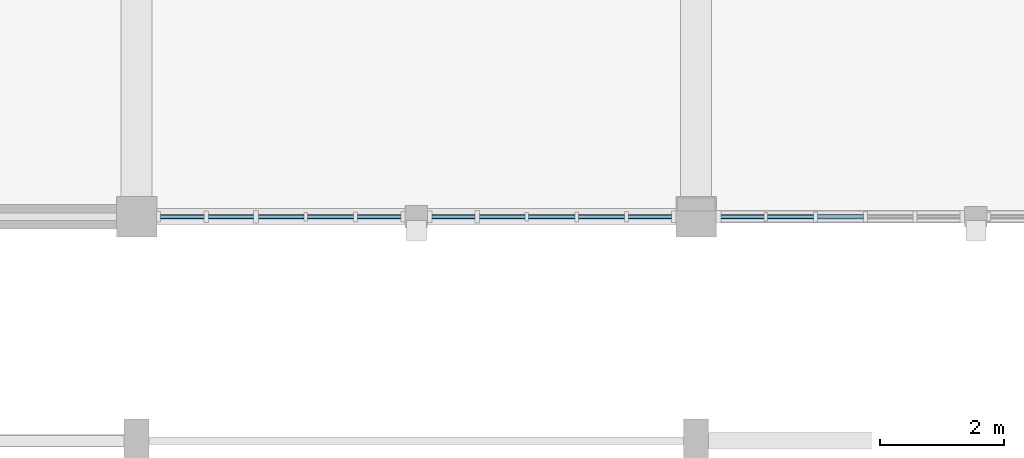
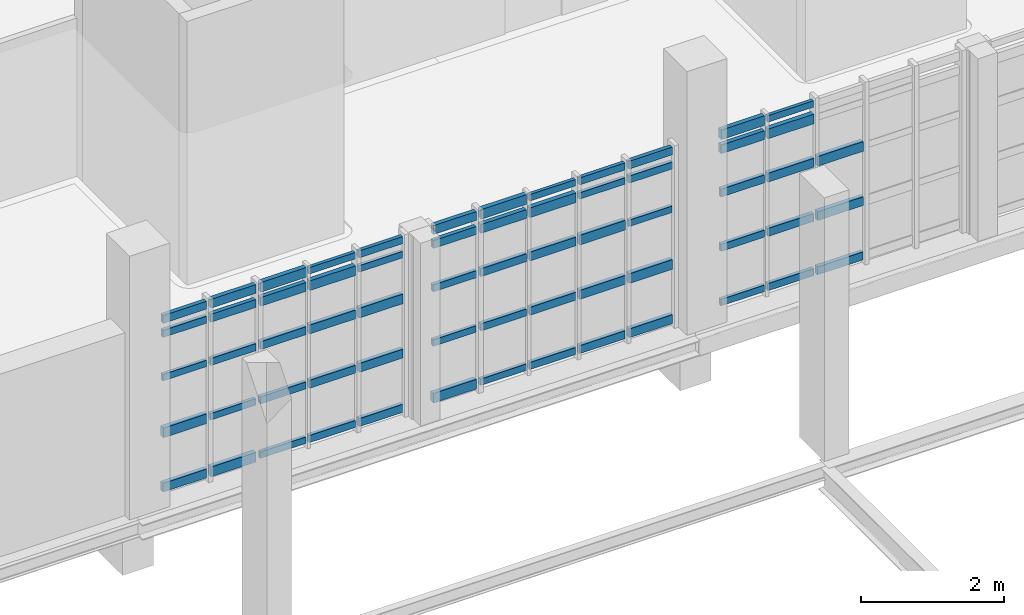
# One storey, part 55 of 125: 63 members, 3 elements without a shape of their own.
"""IFC4 building model written with IfcOpenShell, lengths in metres."""

from ifc_helpers import new_model, si_unit, direction, frame, origin, origin_2d, place, context, subcontext, project, spatial, rectangle, extrude, material, material_profile, profile_set, type_object, element, aggregate, save


model = new_model("IFC4")

# Units and contexts
model_context = context("Model", 3, precision=1e-05, world=origin(), true_north=direction((0.0, 1.0)))
body_context = subcontext(model_context, "Body", "Model", "MODEL_VIEW")
ifc_project = project(units=[si_unit("LENGTHUNIT", "METRE"), si_unit("AREAUNIT", "SQUARE_METRE"), si_unit("VOLUMEUNIT", "CUBIC_METRE"), si_unit("PLANEANGLEUNIT", "RADIAN"), si_unit("MASSUNIT", "GRAM", prefix="KILO")], contexts=[model_context])

# Site, building, storey
site_placement = place(None, origin())
site = spatial("IfcSite", under=ifc_project, at=site_placement, CompositionType="ELEMENT")
building_placement = place(site_placement, origin())
building = spatial("IfcBuilding", under=site, at=building_placement, Name="Serraforn Aerial Cableway Station", CompositionType="ELEMENT")
storey_placement = place(building_placement, frame((0.0, 0.0, 4.5)))
storey = spatial("IfcBuildingStorey", under=building, at=storey_placement, Name="L01", CompositionType="ELEMENT", Elevation=4.5)

# Curtain wall, members
ifc_material_1 = material(Name="Anodised bronze unitised curtain wall")
curtain_wall_type_1 = type_object("IfcCurtainWallType", Name="CW-SYS-21", PredefinedType="USERDEFINED", material=ifc_material_1)
curtain_wall_1_placement = place(storey_placement, origin())
curtain_wall_1 = element("IfcCurtainWall", 1, at=curtain_wall_1_placement, inside=storey, type_object=curtain_wall_type_1, Name="Unitised Curtain Wall CW-CV-L01-S3A", ObjectType="UNITISED CURTAIN WALL", PredefinedType="USERDEFINED")
ifc_material_2 = material(Name="Anodised bronze extruded aluminium", Category="aluminium")
ifc_material_profile_1 = material_profile(ifc_material_2, rectangle(XDim=0.054931640625, YDim=0.110107421875, at=origin_2d()), Name="CW TRANSOM 55x110")
ifc_profile_set_1 = profile_set([ifc_material_profile_1], Name="Anodised bronze extruded aluminium")
member_type_1 = type_object("IfcMemberType", Name="CW-TRN-1", PredefinedType="USERDEFINED", material=ifc_profile_set_1)
member_1_placement = place(storey_placement, frame((45.986083984375, 18.0, 1.996826171875), z_axis=(1.0, 0.0, 0.0), x_axis=(0.0, 1.0, 0.0)))
member_1 = element("IfcMember", 2, at=member_1_placement, type_object=member_type_1, Name="Curtain Wall Transom CW-CV-L01-S3A-T1-3", ObjectType="TRANSOM", PredefinedType="USERDEFINED", context=body_context, shape_type="SweptSolid", body=[
    extrude(rectangle(XDim=0.054931640625, YDim=0.110107421875, at=origin_2d()), origin(), (0.0, 0.0, 1.0), 0.703369140625),
])
member_2_placement = place(storey_placement, frame((46.75537109375, 18.0, 1.060791015625), z_axis=(1.0, 0.0, 0.0), x_axis=(0.0, 1.0, 0.0)))
member_2 = element("IfcMember", 3, at=member_2_placement, type_object=member_type_1, Name="Curtain Wall Transom CW-CV-L01-S3A-T2-2", ObjectType="TRANSOM", PredefinedType="USERDEFINED", context=body_context, shape_type="SweptSolid", body=[
    extrude(rectangle(XDim=0.054931640625, YDim=0.110107421875, at=origin_2d()), origin(), (0.0, 0.0, 1.0), 0.73095703125),
])
member_3_placement = place(storey_placement, frame((47.557373046875, 18.0, 0.124755859375), z_axis=(1.0, 0.0, 0.0), x_axis=(0.0, 1.0, 0.0)))
member_3 = element("IfcMember", 4, at=member_3_placement, type_object=member_type_1, Name="Curtain Wall Transom CW-CV-L01-S3A-T3-1", ObjectType="TRANSOM", PredefinedType="USERDEFINED", context=body_context, shape_type="SweptSolid", body=[
    extrude(rectangle(XDim=0.054931640625, YDim=0.110107421875, at=origin_2d()), origin(), (0.0, 0.0, 1.0), 0.73828125),
])
member_4_placement = place(storey_placement, frame((48.3466796875, 18.0, 2.9951171875), z_axis=(1.0, 0.0, 0.0), x_axis=(0.0, 1.0, 0.0)))
member_4 = element("IfcMember", 5, at=member_4_placement, type_object=member_type_1, Name="Curtain Wall Transom CW-CV-L01-S3A-T4-5", ObjectType="TRANSOM", PredefinedType="USERDEFINED", context=body_context, shape_type="SweptSolid", body=[
    extrude(rectangle(XDim=0.054931640625, YDim=0.110107421875, at=origin_2d()), origin(), (0.0, 0.0, 1.0), 0.745849609375),
])
member_5_placement = place(storey_placement, frame((49.148681640625, 18.0, 2.74560546875), z_axis=(1.0, 0.0, 0.0), x_axis=(0.0, 1.0, 0.0)))
member_5 = element("IfcMember", 6, at=member_5_placement, type_object=member_type_1, Name="Curtain Wall Transom CW-CV-L01-S3A-T5-4", ObjectType="TRANSOM", PredefinedType="USERDEFINED", context=body_context, shape_type="SweptSolid", body=[
    extrude(rectangle(XDim=0.054931640625, YDim=0.110107421875, at=origin_2d()), origin(), (0.0, 0.0, 1.0), 0.708251953125),
])

curtain_wall_type_2 = type_object("IfcCurtainWallType", Name="CW-SYS-22", PredefinedType="USERDEFINED", material=ifc_material_1)
curtain_wall_2_placement = place(storey_placement, origin())
curtain_wall_2 = element("IfcCurtainWall", 7, at=curtain_wall_2_placement, inside=storey, type_object=curtain_wall_type_2, Name="Unitised Curtain Wall CW-CV-L01-S3B", ObjectType="UNITISED CURTAIN WALL", PredefinedType="USERDEFINED")
member_6_placement = place(storey_placement, frame((50.347900390625, 18.0, 1.060791015625), z_axis=(1.0, 0.0, 0.0), x_axis=(0.0, 1.0, 0.0)))
member_6 = element("IfcMember", 8, at=member_6_placement, type_object=member_type_1, Name="Curtain Wall Transom CW-CV-L01-S3B-T1-2", ObjectType="TRANSOM", PredefinedType="USERDEFINED", context=body_context, shape_type="SweptSolid", body=[
    extrude(rectangle(XDim=0.054931640625, YDim=0.110107421875, at=origin_2d()), origin(), (0.0, 0.0, 1.0), 0.696044921875),
])
member_7_placement = place(storey_placement, frame((51.114990234375, 18.0, 0.124755859375), z_axis=(1.0, 0.0, 0.0), x_axis=(0.0, 1.0, 0.0)))
member_7 = element("IfcMember", 9, at=member_7_placement, type_object=member_type_1, Name="Curtain Wall Transom CW-CV-L01-S3B-T2-1", ObjectType="TRANSOM", PredefinedType="USERDEFINED", context=body_context, shape_type="SweptSolid", body=[
    extrude(rectangle(XDim=0.054931640625, YDim=0.110107421875, at=origin_2d()), origin(), (0.0, 0.0, 1.0), 0.73828125),
])
member_8_placement = place(storey_placement, frame((51.904296875, 18.0, 2.9951171875), z_axis=(1.0, 0.0, 0.0), x_axis=(0.0, 1.0, 0.0)))
member_8 = element("IfcMember", 10, at=member_8_placement, type_object=member_type_1, Name="Curtain Wall Transom CW-CV-L01-S3B-T3-5", ObjectType="TRANSOM", PredefinedType="USERDEFINED", context=body_context, shape_type="SweptSolid", body=[
    extrude(rectangle(XDim=0.054931640625, YDim=0.110107421875, at=origin_2d()), origin(), (0.0, 0.0, 1.0), 0.745849609375),
])
member_9_placement = place(storey_placement, frame((52.706298828125, 18.0, 2.74560546875), z_axis=(1.0, 0.0, 0.0), x_axis=(0.0, 1.0, 0.0)))
member_9 = element("IfcMember", 11, at=member_9_placement, type_object=member_type_1, Name="Curtain Wall Transom CW-CV-L01-S3B-T4-4", ObjectType="TRANSOM", PredefinedType="USERDEFINED", context=body_context, shape_type="SweptSolid", body=[
    extrude(rectangle(XDim=0.054931640625, YDim=0.110107421875, at=origin_2d()), origin(), (0.0, 0.0, 1.0), 0.74072265625),
])
member_10_placement = place(storey_placement, frame((53.508056640625, 18.0, 1.996826171875), z_axis=(1.0, 0.0, 0.0), x_axis=(0.0, 1.0, 0.0)))
member_10 = element("IfcMember", 12, at=member_10_placement, type_object=member_type_1, Name="Curtain Wall Transom CW-CV-L01-S3B-T5-3", ObjectType="TRANSOM", PredefinedType="USERDEFINED", context=body_context, shape_type="SweptSolid", body=[
    extrude(rectangle(XDim=0.054931640625, YDim=0.110107421875, at=origin_2d()), origin(), (0.0, 0.0, 1.0), 0.700927734375),
])

curtain_wall_type_3 = type_object("IfcCurtainWallType", Name="CW-SYS-23", PredefinedType="USERDEFINED", material=ifc_material_1)
curtain_wall_3_placement = place(storey_placement, origin())
curtain_wall_3 = element("IfcCurtainWall", 13, at=curtain_wall_3_placement, inside=storey, type_object=curtain_wall_type_3, Name="Unitised Curtain Wall CW-CV-L01-S4A", ObjectType="UNITISED CURTAIN WALL", PredefinedType="USERDEFINED")
member_11_placement = place(storey_placement, frame((54.99609375, 18.0, 0.124755859375), z_axis=(1.0, 0.0, 0.0), x_axis=(0.0, 1.0, 0.0)))
member_11 = element("IfcMember", 14, at=member_11_placement, type_object=member_type_1, Name="Curtain Wall Transom CW-CV-L01-S4A-T1-1", ObjectType="TRANSOM", PredefinedType="USERDEFINED", context=body_context, shape_type="SweptSolid", body=[
    extrude(rectangle(XDim=0.054931640625, YDim=0.110107421875, at=origin_2d()), origin(), (0.0, 0.0, 1.0), 0.700927734375),
])
member_12_placement = place(storey_placement, frame((55.747802734375, 18.0, 2.9951171875), z_axis=(1.0, 0.0, 0.0), x_axis=(0.0, 1.0, 0.0)))
member_12 = element("IfcMember", 15, at=member_12_placement, type_object=member_type_1, Name="Curtain Wall Transom CW-CV-L01-S4A-T2-5", ObjectType="TRANSOM", PredefinedType="USERDEFINED", context=body_context, shape_type="SweptSolid", body=[
    extrude(rectangle(XDim=0.054931640625, YDim=0.110107421875, at=origin_2d()), origin(), (0.0, 0.0, 1.0), 0.74609375),
])

# Member
ifc_material_profile_2 = material_profile(ifc_material_2, rectangle(XDim=0.06005859375, YDim=0.1201171875, at=origin_2d()), Name="CW TRANSOM 60x120")
ifc_profile_set_2 = profile_set([ifc_material_profile_2], Name="Anodised bronze extruded aluminium")
member_type_2 = type_object("IfcMemberType", Name="CW-TRN-2", PredefinedType="USERDEFINED", material=ifc_profile_set_2)
member_13_placement = place(storey_placement, frame((45.986083984375, 18.0, 2.74560546875), z_axis=(1.0, 0.0, 0.0), x_axis=(0.0, 1.0, 0.0)))
member_13 = element("IfcMember", 16, at=member_13_placement, type_object=member_type_2, Name="Curtain Wall Transom CW-CV-L01-S3A-T1-4", ObjectType="TRANSOM", PredefinedType="USERDEFINED", context=body_context, shape_type="SweptSolid", body=[
    extrude(rectangle(XDim=0.06005859375, YDim=0.1201171875, at=origin_2d()), origin(), (0.0, 0.0, 1.0), 0.703369140625),
])

member_14_placement = place(storey_placement, frame((46.75537109375, 18.0, 1.996826171875), z_axis=(1.0, 0.0, 0.0), x_axis=(0.0, 1.0, 0.0)))
member_14 = element("IfcMember", 17, at=member_14_placement, type_object=member_type_2, Name="Curtain Wall Transom CW-CV-L01-S3A-T2-3", ObjectType="TRANSOM", PredefinedType="USERDEFINED", context=body_context, shape_type="SweptSolid", body=[
    extrude(rectangle(XDim=0.06005859375, YDim=0.1201171875, at=origin_2d()), origin(), (0.0, 0.0, 1.0), 0.73095703125),
])

member_15_placement = place(storey_placement, frame((47.557373046875, 18.0, 1.060791015625), z_axis=(1.0, 0.0, 0.0), x_axis=(0.0, 1.0, 0.0)))
member_15 = element("IfcMember", 18, at=member_15_placement, type_object=member_type_2, Name="Curtain Wall Transom CW-CV-L01-S3A-T3-2", ObjectType="TRANSOM", PredefinedType="USERDEFINED", context=body_context, shape_type="SweptSolid", body=[
    extrude(rectangle(XDim=0.06005859375, YDim=0.1201171875, at=origin_2d()), origin(), (0.0, 0.0, 1.0), 0.73828125),
])

member_16_placement = place(storey_placement, frame((48.3466796875, 18.0, 0.124755859375), z_axis=(1.0, 0.0, 0.0), x_axis=(0.0, 1.0, 0.0)))
member_16 = element("IfcMember", 19, at=member_16_placement, type_object=member_type_2, Name="Curtain Wall Transom CW-CV-L01-S3A-T4-1", ObjectType="TRANSOM", PredefinedType="USERDEFINED", context=body_context, shape_type="SweptSolid", body=[
    extrude(rectangle(XDim=0.06005859375, YDim=0.1201171875, at=origin_2d()), origin(), (0.0, 0.0, 1.0), 0.745849609375),
])

member_17_placement = place(storey_placement, frame((49.148681640625, 18.0, 2.9951171875), z_axis=(1.0, 0.0, 0.0), x_axis=(0.0, 1.0, 0.0)))
member_17 = element("IfcMember", 20, at=member_17_placement, type_object=member_type_2, Name="Curtain Wall Transom CW-CV-L01-S3A-T5-5", ObjectType="TRANSOM", PredefinedType="USERDEFINED", context=body_context, shape_type="SweptSolid", body=[
    extrude(rectangle(XDim=0.06005859375, YDim=0.1201171875, at=origin_2d()), origin(), (0.0, 0.0, 1.0), 0.708251953125),
])

member_18_placement = place(storey_placement, frame((50.347900390625, 18.0, 1.996826171875), z_axis=(1.0, 0.0, 0.0), x_axis=(0.0, 1.0, 0.0)))
member_18 = element("IfcMember", 21, at=member_18_placement, type_object=member_type_2, Name="Curtain Wall Transom CW-CV-L01-S3B-T1-3", ObjectType="TRANSOM", PredefinedType="USERDEFINED", context=body_context, shape_type="SweptSolid", body=[
    extrude(rectangle(XDim=0.06005859375, YDim=0.1201171875, at=origin_2d()), origin(), (0.0, 0.0, 1.0), 0.696044921875),
])

member_19_placement = place(storey_placement, frame((51.114990234375, 18.0, 1.060791015625), z_axis=(1.0, 0.0, 0.0), x_axis=(0.0, 1.0, 0.0)))
member_19 = element("IfcMember", 22, at=member_19_placement, type_object=member_type_2, Name="Curtain Wall Transom CW-CV-L01-S3B-T2-2", ObjectType="TRANSOM", PredefinedType="USERDEFINED", context=body_context, shape_type="SweptSolid", body=[
    extrude(rectangle(XDim=0.06005859375, YDim=0.1201171875, at=origin_2d()), origin(), (0.0, 0.0, 1.0), 0.73828125),
])

member_20_placement = place(storey_placement, frame((51.904296875, 18.0, 0.124755859375), z_axis=(1.0, 0.0, 0.0), x_axis=(0.0, 1.0, 0.0)))
member_20 = element("IfcMember", 23, at=member_20_placement, type_object=member_type_2, Name="Curtain Wall Transom CW-CV-L01-S3B-T3-1", ObjectType="TRANSOM", PredefinedType="USERDEFINED", context=body_context, shape_type="SweptSolid", body=[
    extrude(rectangle(XDim=0.06005859375, YDim=0.1201171875, at=origin_2d()), origin(), (0.0, 0.0, 1.0), 0.745849609375),
])

member_21_placement = place(storey_placement, frame((52.706298828125, 18.0, 2.9951171875), z_axis=(1.0, 0.0, 0.0), x_axis=(0.0, 1.0, 0.0)))
member_21 = element("IfcMember", 24, at=member_21_placement, type_object=member_type_2, Name="Curtain Wall Transom CW-CV-L01-S3B-T4-5", ObjectType="TRANSOM", PredefinedType="USERDEFINED", context=body_context, shape_type="SweptSolid", body=[
    extrude(rectangle(XDim=0.06005859375, YDim=0.1201171875, at=origin_2d()), origin(), (0.0, 0.0, 1.0), 0.74072265625),
])

member_22_placement = place(storey_placement, frame((53.508056640625, 18.0, 2.74560546875), z_axis=(1.0, 0.0, 0.0), x_axis=(0.0, 1.0, 0.0)))
member_22 = element("IfcMember", 25, at=member_22_placement, type_object=member_type_2, Name="Curtain Wall Transom CW-CV-L01-S3B-T5-4", ObjectType="TRANSOM", PredefinedType="USERDEFINED", context=body_context, shape_type="SweptSolid", body=[
    extrude(rectangle(XDim=0.06005859375, YDim=0.1201171875, at=origin_2d()), origin(), (0.0, 0.0, 1.0), 0.700927734375),
])

member_23_placement = place(storey_placement, frame((54.99609375, 18.0, 1.060791015625), z_axis=(1.0, 0.0, 0.0), x_axis=(0.0, 1.0, 0.0)))
member_23 = element("IfcMember", 26, at=member_23_placement, type_object=member_type_2, Name="Curtain Wall Transom CW-CV-L01-S4A-T1-2", ObjectType="TRANSOM", PredefinedType="USERDEFINED", context=body_context, shape_type="SweptSolid", body=[
    extrude(rectangle(XDim=0.06005859375, YDim=0.1201171875, at=origin_2d()), origin(), (0.0, 0.0, 1.0), 0.700927734375),
])

member_24_placement = place(storey_placement, frame((55.747802734375, 18.0, 0.124755859375), z_axis=(1.0, 0.0, 0.0), x_axis=(0.0, 1.0, 0.0)))
member_24 = element("IfcMember", 27, at=member_24_placement, type_object=member_type_2, Name="Curtain Wall Transom CW-CV-L01-S4A-T2-1", ObjectType="TRANSOM", PredefinedType="USERDEFINED", context=body_context, shape_type="SweptSolid", body=[
    extrude(rectangle(XDim=0.06005859375, YDim=0.1201171875, at=origin_2d()), origin(), (0.0, 0.0, 1.0), 0.74609375),
])

ifc_material_profile_3 = material_profile(ifc_material_2, rectangle(XDim=0.06494140625, YDim=0.135009765625, at=origin_2d()), Name="CW TRANSOM 65x135")
ifc_profile_set_3 = profile_set([ifc_material_profile_3], Name="Anodised bronze extruded aluminium")
member_type_3 = type_object("IfcMemberType", Name="CW-TRN-3", PredefinedType="USERDEFINED", material=ifc_profile_set_3)
member_25_placement = place(storey_placement, frame((45.986083984375, 18.0, 2.9951171875), z_axis=(1.0, 0.0, 0.0), x_axis=(0.0, 1.0, 0.0)))
member_25 = element("IfcMember", 28, at=member_25_placement, type_object=member_type_3, Name="Curtain Wall Transom CW-CV-L01-S3A-T1-5", ObjectType="TRANSOM", PredefinedType="USERDEFINED", context=body_context, shape_type="SweptSolid", body=[
    extrude(rectangle(XDim=0.06494140625, YDim=0.135009765625, at=origin_2d()), origin(), (0.0, 0.0, 1.0), 0.703369140625),
])

member_26_placement = place(storey_placement, frame((46.75537109375, 18.0, 2.74560546875), z_axis=(1.0, 0.0, 0.0), x_axis=(0.0, 1.0, 0.0)))
member_26 = element("IfcMember", 29, at=member_26_placement, type_object=member_type_3, Name="Curtain Wall Transom CW-CV-L01-S3A-T2-4", ObjectType="TRANSOM", PredefinedType="USERDEFINED", context=body_context, shape_type="SweptSolid", body=[
    extrude(rectangle(XDim=0.06494140625, YDim=0.135009765625, at=origin_2d()), origin(), (0.0, 0.0, 1.0), 0.73095703125),
])

member_27_placement = place(storey_placement, frame((47.557373046875, 18.0, 1.996826171875), z_axis=(1.0, 0.0, 0.0), x_axis=(0.0, 1.0, 0.0)))
member_27 = element("IfcMember", 30, at=member_27_placement, type_object=member_type_3, Name="Curtain Wall Transom CW-CV-L01-S3A-T3-3", ObjectType="TRANSOM", PredefinedType="USERDEFINED", context=body_context, shape_type="SweptSolid", body=[
    extrude(rectangle(XDim=0.06494140625, YDim=0.135009765625, at=origin_2d()), origin(), (0.0, 0.0, 1.0), 0.73828125),
])

member_28_placement = place(storey_placement, frame((48.3466796875, 18.0, 1.060791015625), z_axis=(1.0, 0.0, 0.0), x_axis=(0.0, 1.0, 0.0)))
member_28 = element("IfcMember", 31, at=member_28_placement, type_object=member_type_3, Name="Curtain Wall Transom CW-CV-L01-S3A-T4-2", ObjectType="TRANSOM", PredefinedType="USERDEFINED", context=body_context, shape_type="SweptSolid", body=[
    extrude(rectangle(XDim=0.06494140625, YDim=0.135009765625, at=origin_2d()), origin(), (0.0, 0.0, 1.0), 0.745849609375),
])

member_29_placement = place(storey_placement, frame((49.148681640625, 18.0, 0.124755859375), z_axis=(1.0, 0.0, 0.0), x_axis=(0.0, 1.0, 0.0)))
member_29 = element("IfcMember", 32, at=member_29_placement, type_object=member_type_3, Name="Curtain Wall Transom CW-CV-L01-S3A-T5-1", ObjectType="TRANSOM", PredefinedType="USERDEFINED", context=body_context, shape_type="SweptSolid", body=[
    extrude(rectangle(XDim=0.06494140625, YDim=0.135009765625, at=origin_2d()), origin(), (0.0, 0.0, 1.0), 0.708251953125),
])

member_30_placement = place(storey_placement, frame((50.347900390625, 18.0, 2.74560546875), z_axis=(1.0, 0.0, 0.0), x_axis=(0.0, 1.0, 0.0)))
member_30 = element("IfcMember", 33, at=member_30_placement, type_object=member_type_3, Name="Curtain Wall Transom CW-CV-L01-S3B-T1-4", ObjectType="TRANSOM", PredefinedType="USERDEFINED", context=body_context, shape_type="SweptSolid", body=[
    extrude(rectangle(XDim=0.06494140625, YDim=0.135009765625, at=origin_2d()), origin(), (0.0, 0.0, 1.0), 0.696044921875),
])

member_31_placement = place(storey_placement, frame((51.114990234375, 18.0, 1.996826171875), z_axis=(1.0, 0.0, 0.0), x_axis=(0.0, 1.0, 0.0)))
member_31 = element("IfcMember", 34, at=member_31_placement, type_object=member_type_3, Name="Curtain Wall Transom CW-CV-L01-S3B-T2-3", ObjectType="TRANSOM", PredefinedType="USERDEFINED", context=body_context, shape_type="SweptSolid", body=[
    extrude(rectangle(XDim=0.06494140625, YDim=0.135009765625, at=origin_2d()), origin(), (0.0, 0.0, 1.0), 0.73828125),
])

member_32_placement = place(storey_placement, frame((51.904296875, 18.0, 1.060791015625), z_axis=(1.0, 0.0, 0.0), x_axis=(0.0, 1.0, 0.0)))
member_32 = element("IfcMember", 35, at=member_32_placement, type_object=member_type_3, Name="Curtain Wall Transom CW-CV-L01-S3B-T3-2", ObjectType="TRANSOM", PredefinedType="USERDEFINED", context=body_context, shape_type="SweptSolid", body=[
    extrude(rectangle(XDim=0.06494140625, YDim=0.135009765625, at=origin_2d()), origin(), (0.0, 0.0, 1.0), 0.745849609375),
])

member_33_placement = place(storey_placement, frame((52.706298828125, 18.0, 0.124755859375), z_axis=(1.0, 0.0, 0.0), x_axis=(0.0, 1.0, 0.0)))
member_33 = element("IfcMember", 36, at=member_33_placement, type_object=member_type_3, Name="Curtain Wall Transom CW-CV-L01-S3B-T4-1", ObjectType="TRANSOM", PredefinedType="USERDEFINED", context=body_context, shape_type="SweptSolid", body=[
    extrude(rectangle(XDim=0.06494140625, YDim=0.135009765625, at=origin_2d()), origin(), (0.0, 0.0, 1.0), 0.74072265625),
])

member_34_placement = place(storey_placement, frame((53.508056640625, 18.0, 2.9951171875), z_axis=(1.0, 0.0, 0.0), x_axis=(0.0, 1.0, 0.0)))
member_34 = element("IfcMember", 37, at=member_34_placement, type_object=member_type_3, Name="Curtain Wall Transom CW-CV-L01-S3B-T5-5", ObjectType="TRANSOM", PredefinedType="USERDEFINED", context=body_context, shape_type="SweptSolid", body=[
    extrude(rectangle(XDim=0.06494140625, YDim=0.135009765625, at=origin_2d()), origin(), (0.0, 0.0, 1.0), 0.700927734375),
])

member_35_placement = place(storey_placement, frame((54.99609375, 18.0, 1.996826171875), z_axis=(1.0, 0.0, 0.0), x_axis=(0.0, 1.0, 0.0)))
member_35 = element("IfcMember", 38, at=member_35_placement, type_object=member_type_3, Name="Curtain Wall Transom CW-CV-L01-S4A-T1-3", ObjectType="TRANSOM", PredefinedType="USERDEFINED", context=body_context, shape_type="SweptSolid", body=[
    extrude(rectangle(XDim=0.06494140625, YDim=0.135009765625, at=origin_2d()), origin(), (0.0, 0.0, 1.0), 0.700927734375),
])

member_36_placement = place(storey_placement, frame((55.747802734375, 18.0, 1.060791015625), z_axis=(1.0, 0.0, 0.0), x_axis=(0.0, 1.0, 0.0)))
member_36 = element("IfcMember", 39, at=member_36_placement, type_object=member_type_3, Name="Curtain Wall Transom CW-CV-L01-S4A-T2-2", ObjectType="TRANSOM", PredefinedType="USERDEFINED", context=body_context, shape_type="SweptSolid", body=[
    extrude(rectangle(XDim=0.06494140625, YDim=0.135009765625, at=origin_2d()), origin(), (0.0, 0.0, 1.0), 0.74609375),
])

member_37_placement = place(storey_placement, frame((56.5498046875, 18.0, 0.124755859375), z_axis=(1.0, 0.0, 0.0), x_axis=(0.0, 1.0, 0.0)))
member_37 = element("IfcMember", 40, at=member_37_placement, type_object=member_type_3, Name="Curtain Wall Transom CW-CV-L01-S4A-T3-1", ObjectType="TRANSOM", PredefinedType="USERDEFINED", context=body_context, shape_type="SweptSolid", body=[
    extrude(rectangle(XDim=0.06494140625, YDim=0.135009765625, at=origin_2d()), origin(), (0.0, 0.0, 1.0), 0.740966796875),
])

ifc_material_profile_4 = material_profile(ifc_material_2, rectangle(XDim=0.070068359375, YDim=0.14990234375, at=origin_2d()), Name="CW TRANSOM 70x150")
ifc_profile_set_4 = profile_set([ifc_material_profile_4], Name="Anodised bronze extruded aluminium")
member_type_4 = type_object("IfcMemberType", Name="CW-TRN-4", PredefinedType="USERDEFINED", material=ifc_profile_set_4)
member_38_placement = place(storey_placement, frame((45.986083984375, 18.0, 0.124755859375), z_axis=(1.0, 0.0, 0.0), x_axis=(0.0, 1.0, 0.0)))
member_38 = element("IfcMember", 41, at=member_38_placement, type_object=member_type_4, Name="Curtain Wall Transom CW-CV-L01-S3A-T1-1", ObjectType="TRANSOM", PredefinedType="USERDEFINED", context=body_context, shape_type="SweptSolid", body=[
    extrude(rectangle(XDim=0.070068359375, YDim=0.14990234375, at=origin_2d()), origin(), (0.0, 0.0, 1.0), 0.703369140625),
])

member_39_placement = place(storey_placement, frame((46.75537109375, 18.0, 2.9951171875), z_axis=(1.0, 0.0, 0.0), x_axis=(0.0, 1.0, 0.0)))
member_39 = element("IfcMember", 42, at=member_39_placement, type_object=member_type_4, Name="Curtain Wall Transom CW-CV-L01-S3A-T2-5", ObjectType="TRANSOM", PredefinedType="USERDEFINED", context=body_context, shape_type="SweptSolid", body=[
    extrude(rectangle(XDim=0.070068359375, YDim=0.14990234375, at=origin_2d()), origin(), (0.0, 0.0, 1.0), 0.73095703125),
])

member_40_placement = place(storey_placement, frame((47.557373046875, 18.0, 2.74560546875), z_axis=(1.0, 0.0, 0.0), x_axis=(0.0, 1.0, 0.0)))
member_40 = element("IfcMember", 43, at=member_40_placement, type_object=member_type_4, Name="Curtain Wall Transom CW-CV-L01-S3A-T3-4", ObjectType="TRANSOM", PredefinedType="USERDEFINED", context=body_context, shape_type="SweptSolid", body=[
    extrude(rectangle(XDim=0.070068359375, YDim=0.14990234375, at=origin_2d()), origin(), (0.0, 0.0, 1.0), 0.73828125),
])

member_41_placement = place(storey_placement, frame((48.3466796875, 18.0, 1.996826171875), z_axis=(1.0, 0.0, 0.0), x_axis=(0.0, 1.0, 0.0)))
member_41 = element("IfcMember", 44, at=member_41_placement, type_object=member_type_4, Name="Curtain Wall Transom CW-CV-L01-S3A-T4-3", ObjectType="TRANSOM", PredefinedType="USERDEFINED", context=body_context, shape_type="SweptSolid", body=[
    extrude(rectangle(XDim=0.070068359375, YDim=0.14990234375, at=origin_2d()), origin(), (0.0, 0.0, 1.0), 0.745849609375),
])

member_42_placement = place(storey_placement, frame((49.148681640625, 18.0, 1.060791015625), z_axis=(1.0, 0.0, 0.0), x_axis=(0.0, 1.0, 0.0)))
member_42 = element("IfcMember", 45, at=member_42_placement, type_object=member_type_4, Name="Curtain Wall Transom CW-CV-L01-S3A-T5-2", ObjectType="TRANSOM", PredefinedType="USERDEFINED", context=body_context, shape_type="SweptSolid", body=[
    extrude(rectangle(XDim=0.070068359375, YDim=0.14990234375, at=origin_2d()), origin(), (0.0, 0.0, 1.0), 0.708251953125),
])

member_43_placement = place(storey_placement, frame((50.347900390625, 18.0, 2.9951171875), z_axis=(1.0, 0.0, 0.0), x_axis=(0.0, 1.0, 0.0)))
member_43 = element("IfcMember", 46, at=member_43_placement, type_object=member_type_4, Name="Curtain Wall Transom CW-CV-L01-S3B-T1-5", ObjectType="TRANSOM", PredefinedType="USERDEFINED", context=body_context, shape_type="SweptSolid", body=[
    extrude(rectangle(XDim=0.070068359375, YDim=0.14990234375, at=origin_2d()), origin(), (0.0, 0.0, 1.0), 0.696044921875),
])

member_44_placement = place(storey_placement, frame((51.114990234375, 18.0, 2.74560546875), z_axis=(1.0, 0.0, 0.0), x_axis=(0.0, 1.0, 0.0)))
member_44 = element("IfcMember", 47, at=member_44_placement, type_object=member_type_4, Name="Curtain Wall Transom CW-CV-L01-S3B-T2-4", ObjectType="TRANSOM", PredefinedType="USERDEFINED", context=body_context, shape_type="SweptSolid", body=[
    extrude(rectangle(XDim=0.070068359375, YDim=0.14990234375, at=origin_2d()), origin(), (0.0, 0.0, 1.0), 0.73828125),
])

member_45_placement = place(storey_placement, frame((51.904296875, 18.0, 1.996826171875), z_axis=(1.0, 0.0, 0.0), x_axis=(0.0, 1.0, 0.0)))
member_45 = element("IfcMember", 48, at=member_45_placement, type_object=member_type_4, Name="Curtain Wall Transom CW-CV-L01-S3B-T3-3", ObjectType="TRANSOM", PredefinedType="USERDEFINED", context=body_context, shape_type="SweptSolid", body=[
    extrude(rectangle(XDim=0.070068359375, YDim=0.14990234375, at=origin_2d()), origin(), (0.0, 0.0, 1.0), 0.745849609375),
])

member_46_placement = place(storey_placement, frame((52.706298828125, 18.0, 1.060791015625), z_axis=(1.0, 0.0, 0.0), x_axis=(0.0, 1.0, 0.0)))
member_46 = element("IfcMember", 49, at=member_46_placement, type_object=member_type_4, Name="Curtain Wall Transom CW-CV-L01-S3B-T4-2", ObjectType="TRANSOM", PredefinedType="USERDEFINED", context=body_context, shape_type="SweptSolid", body=[
    extrude(rectangle(XDim=0.070068359375, YDim=0.14990234375, at=origin_2d()), origin(), (0.0, 0.0, 1.0), 0.74072265625),
])

member_47_placement = place(storey_placement, frame((53.508056640625, 18.0, 0.124755859375), z_axis=(1.0, 0.0, 0.0), x_axis=(0.0, 1.0, 0.0)))
member_47 = element("IfcMember", 50, at=member_47_placement, type_object=member_type_4, Name="Curtain Wall Transom CW-CV-L01-S3B-T5-1", ObjectType="TRANSOM", PredefinedType="USERDEFINED", context=body_context, shape_type="SweptSolid", body=[
    extrude(rectangle(XDim=0.070068359375, YDim=0.14990234375, at=origin_2d()), origin(), (0.0, 0.0, 1.0), 0.700927734375),
])

member_48_placement = place(storey_placement, frame((54.99609375, 18.0, 2.74560546875), z_axis=(1.0, 0.0, 0.0), x_axis=(0.0, 1.0, 0.0)))
member_48 = element("IfcMember", 51, at=member_48_placement, type_object=member_type_4, Name="Curtain Wall Transom CW-CV-L01-S4A-T1-4", ObjectType="TRANSOM", PredefinedType="USERDEFINED", context=body_context, shape_type="SweptSolid", body=[
    extrude(rectangle(XDim=0.070068359375, YDim=0.14990234375, at=origin_2d()), origin(), (0.0, 0.0, 1.0), 0.700927734375),
])

member_49_placement = place(storey_placement, frame((55.747802734375, 18.0, 1.996826171875), z_axis=(1.0, 0.0, 0.0), x_axis=(0.0, 1.0, 0.0)))
member_49 = element("IfcMember", 52, at=member_49_placement, type_object=member_type_4, Name="Curtain Wall Transom CW-CV-L01-S4A-T2-3", ObjectType="TRANSOM", PredefinedType="USERDEFINED", context=body_context, shape_type="SweptSolid", body=[
    extrude(rectangle(XDim=0.070068359375, YDim=0.14990234375, at=origin_2d()), origin(), (0.0, 0.0, 1.0), 0.74609375),
])

member_50_placement = place(storey_placement, frame((56.5498046875, 18.0, 1.060791015625), z_axis=(1.0, 0.0, 0.0), x_axis=(0.0, 1.0, 0.0)))
member_50 = element("IfcMember", 53, at=member_50_placement, type_object=member_type_4, Name="Curtain Wall Transom CW-CV-L01-S4A-T3-2", ObjectType="TRANSOM", PredefinedType="USERDEFINED", context=body_context, shape_type="SweptSolid", body=[
    extrude(rectangle(XDim=0.070068359375, YDim=0.14990234375, at=origin_2d()), origin(), (0.0, 0.0, 1.0), 0.740966796875),
])

ifc_material_profile_5 = material_profile(ifc_material_2, rectangle(XDim=0.074951171875, YDim=0.1650390625, at=origin_2d()), Name="CW TRANSOM 75x165")
ifc_profile_set_5 = profile_set([ifc_material_profile_5], Name="Anodised bronze extruded aluminium")
member_type_5 = type_object("IfcMemberType", Name="CW-TRN-5", PredefinedType="USERDEFINED", material=ifc_profile_set_5)
member_51_placement = place(storey_placement, frame((45.986083984375, 18.0, 1.060791015625), z_axis=(1.0, 0.0, 0.0), x_axis=(0.0, 1.0, 0.0)))
member_51 = element("IfcMember", 54, at=member_51_placement, type_object=member_type_5, Name="Curtain Wall Transom CW-CV-L01-S3A-T1-2", ObjectType="TRANSOM", PredefinedType="USERDEFINED", context=body_context, shape_type="SweptSolid", body=[
    extrude(rectangle(XDim=0.074951171875, YDim=0.1650390625, at=origin_2d()), origin(), (0.0, 0.0, 1.0), 0.703369140625),
])

member_52_placement = place(storey_placement, frame((46.75537109375, 18.0, 0.124755859375), z_axis=(1.0, 0.0, 0.0), x_axis=(0.0, 1.0, 0.0)))
member_52 = element("IfcMember", 55, at=member_52_placement, type_object=member_type_5, Name="Curtain Wall Transom CW-CV-L01-S3A-T2-1", ObjectType="TRANSOM", PredefinedType="USERDEFINED", context=body_context, shape_type="SweptSolid", body=[
    extrude(rectangle(XDim=0.074951171875, YDim=0.1650390625, at=origin_2d()), origin(), (0.0, 0.0, 1.0), 0.73095703125),
])

member_53_placement = place(storey_placement, frame((47.557373046875, 18.0, 2.9951171875), z_axis=(1.0, 0.0, 0.0), x_axis=(0.0, 1.0, 0.0)))
member_53 = element("IfcMember", 56, at=member_53_placement, type_object=member_type_5, Name="Curtain Wall Transom CW-CV-L01-S3A-T3-5", ObjectType="TRANSOM", PredefinedType="USERDEFINED", context=body_context, shape_type="SweptSolid", body=[
    extrude(rectangle(XDim=0.074951171875, YDim=0.1650390625, at=origin_2d()), origin(), (0.0, 0.0, 1.0), 0.73828125),
])

member_54_placement = place(storey_placement, frame((48.3466796875, 18.0, 2.74560546875), z_axis=(1.0, 0.0, 0.0), x_axis=(0.0, 1.0, 0.0)))
member_54 = element("IfcMember", 57, at=member_54_placement, type_object=member_type_5, Name="Curtain Wall Transom CW-CV-L01-S3A-T4-4", ObjectType="TRANSOM", PredefinedType="USERDEFINED", context=body_context, shape_type="SweptSolid", body=[
    extrude(rectangle(XDim=0.074951171875, YDim=0.1650390625, at=origin_2d()), origin(), (0.0, 0.0, 1.0), 0.745849609375),
])

member_55_placement = place(storey_placement, frame((49.148681640625, 18.0, 1.996826171875), z_axis=(1.0, 0.0, 0.0), x_axis=(0.0, 1.0, 0.0)))
member_55 = element("IfcMember", 58, at=member_55_placement, type_object=member_type_5, Name="Curtain Wall Transom CW-CV-L01-S3A-T5-3", ObjectType="TRANSOM", PredefinedType="USERDEFINED", context=body_context, shape_type="SweptSolid", body=[
    extrude(rectangle(XDim=0.074951171875, YDim=0.1650390625, at=origin_2d()), origin(), (0.0, 0.0, 1.0), 0.708251953125),
])

aggregate(curtain_wall_1, [member_38, member_51, member_1, member_13, member_25, member_52, member_2, member_14, member_26, member_39, member_3, member_15, member_27, member_40, member_53, member_16, member_28, member_41, member_54, member_4, member_29, member_42, member_55, member_5, member_17])

member_56_placement = place(storey_placement, frame((50.347900390625, 18.0, 0.124755859375), z_axis=(1.0, 0.0, 0.0), x_axis=(0.0, 1.0, 0.0)))
member_56 = element("IfcMember", 59, at=member_56_placement, type_object=member_type_5, Name="Curtain Wall Transom CW-CV-L01-S3B-T1-1", ObjectType="TRANSOM", PredefinedType="USERDEFINED", context=body_context, shape_type="SweptSolid", body=[
    extrude(rectangle(XDim=0.074951171875, YDim=0.1650390625, at=origin_2d()), origin(), (0.0, 0.0, 1.0), 0.696044921875),
])

member_57_placement = place(storey_placement, frame((51.114990234375, 18.0, 2.9951171875), z_axis=(1.0, 0.0, 0.0), x_axis=(0.0, 1.0, 0.0)))
member_57 = element("IfcMember", 60, at=member_57_placement, type_object=member_type_5, Name="Curtain Wall Transom CW-CV-L01-S3B-T2-5", ObjectType="TRANSOM", PredefinedType="USERDEFINED", context=body_context, shape_type="SweptSolid", body=[
    extrude(rectangle(XDim=0.074951171875, YDim=0.1650390625, at=origin_2d()), origin(), (0.0, 0.0, 1.0), 0.73828125),
])

member_58_placement = place(storey_placement, frame((51.904296875, 18.0, 2.74560546875), z_axis=(1.0, 0.0, 0.0), x_axis=(0.0, 1.0, 0.0)))
member_58 = element("IfcMember", 61, at=member_58_placement, type_object=member_type_5, Name="Curtain Wall Transom CW-CV-L01-S3B-T3-4", ObjectType="TRANSOM", PredefinedType="USERDEFINED", context=body_context, shape_type="SweptSolid", body=[
    extrude(rectangle(XDim=0.074951171875, YDim=0.1650390625, at=origin_2d()), origin(), (0.0, 0.0, 1.0), 0.745849609375),
])

member_59_placement = place(storey_placement, frame((52.706298828125, 18.0, 1.996826171875), z_axis=(1.0, 0.0, 0.0), x_axis=(0.0, 1.0, 0.0)))
member_59 = element("IfcMember", 62, at=member_59_placement, type_object=member_type_5, Name="Curtain Wall Transom CW-CV-L01-S3B-T4-3", ObjectType="TRANSOM", PredefinedType="USERDEFINED", context=body_context, shape_type="SweptSolid", body=[
    extrude(rectangle(XDim=0.074951171875, YDim=0.1650390625, at=origin_2d()), origin(), (0.0, 0.0, 1.0), 0.74072265625),
])

member_60_placement = place(storey_placement, frame((53.508056640625, 18.0, 1.060791015625), z_axis=(1.0, 0.0, 0.0), x_axis=(0.0, 1.0, 0.0)))
member_60 = element("IfcMember", 63, at=member_60_placement, type_object=member_type_5, Name="Curtain Wall Transom CW-CV-L01-S3B-T5-2", ObjectType="TRANSOM", PredefinedType="USERDEFINED", context=body_context, shape_type="SweptSolid", body=[
    extrude(rectangle(XDim=0.074951171875, YDim=0.1650390625, at=origin_2d()), origin(), (0.0, 0.0, 1.0), 0.700927734375),
])

aggregate(curtain_wall_2, [member_56, member_6, member_18, member_30, member_43, member_7, member_19, member_31, member_44, member_57, member_20, member_32, member_45, member_58, member_8, member_33, member_46, member_59, member_9, member_21, member_47, member_60, member_10, member_22, member_34])

member_61_placement = place(storey_placement, frame((54.99609375, 18.0, 2.9951171875), z_axis=(1.0, 0.0, 0.0), x_axis=(0.0, 1.0, 0.0)))
member_61 = element("IfcMember", 64, at=member_61_placement, type_object=member_type_5, Name="Curtain Wall Transom CW-CV-L01-S4A-T1-5", ObjectType="TRANSOM", PredefinedType="USERDEFINED", context=body_context, shape_type="SweptSolid", body=[
    extrude(rectangle(XDim=0.074951171875, YDim=0.1650390625, at=origin_2d()), origin(), (0.0, 0.0, 1.0), 0.700927734375),
])

member_62_placement = place(storey_placement, frame((55.747802734375, 18.0, 2.74560546875), z_axis=(1.0, 0.0, 0.0), x_axis=(0.0, 1.0, 0.0)))
member_62 = element("IfcMember", 65, at=member_62_placement, type_object=member_type_5, Name="Curtain Wall Transom CW-CV-L01-S4A-T2-4", ObjectType="TRANSOM", PredefinedType="USERDEFINED", context=body_context, shape_type="SweptSolid", body=[
    extrude(rectangle(XDim=0.074951171875, YDim=0.1650390625, at=origin_2d()), origin(), (0.0, 0.0, 1.0), 0.74609375),
])

member_63_placement = place(storey_placement, frame((56.5498046875, 18.0, 1.996826171875), z_axis=(1.0, 0.0, 0.0), x_axis=(0.0, 1.0, 0.0)))
member_63 = element("IfcMember", 66, at=member_63_placement, type_object=member_type_5, Name="Curtain Wall Transom CW-CV-L01-S4A-T3-3", ObjectType="TRANSOM", PredefinedType="USERDEFINED", context=body_context, shape_type="SweptSolid", body=[
    extrude(rectangle(XDim=0.074951171875, YDim=0.1650390625, at=origin_2d()), origin(), (0.0, 0.0, 1.0), 0.740966796875),
])

aggregate(curtain_wall_3, [member_11, member_23, member_35, member_48, member_61, member_24, member_36, member_49, member_62, member_12, member_37, member_50, member_63])

save(model, "model.ifc")
